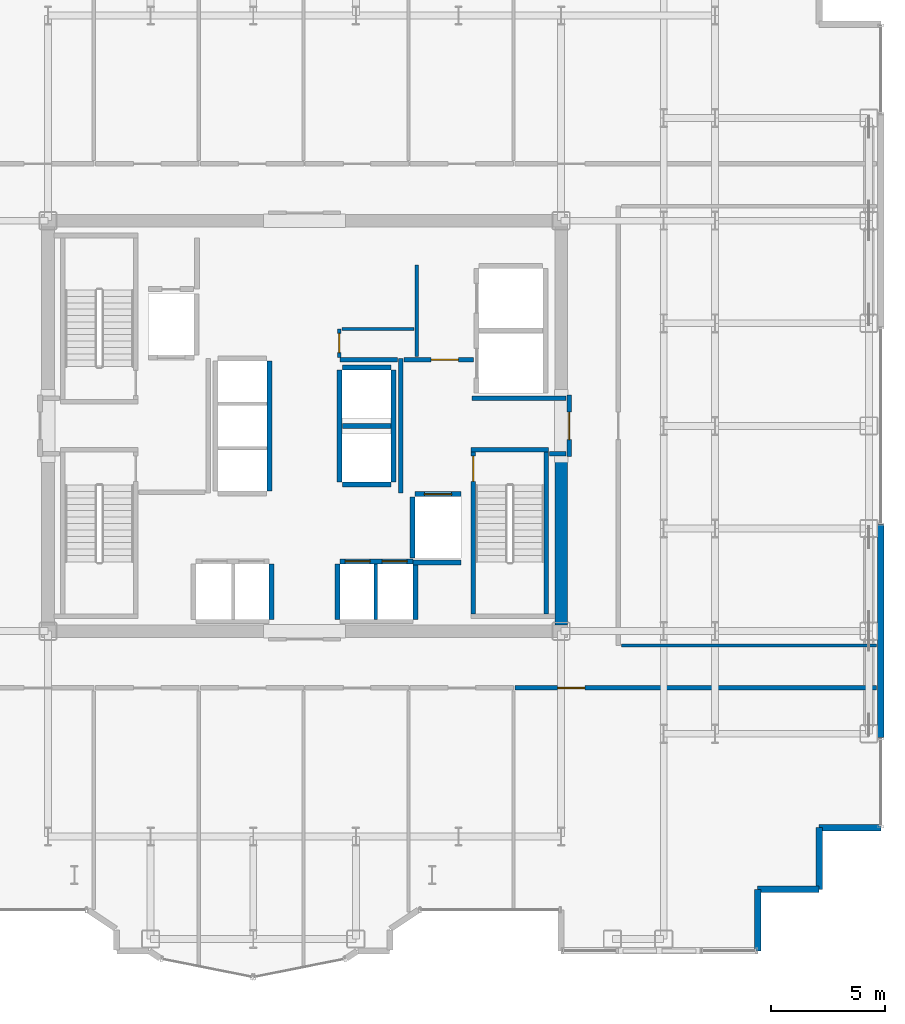
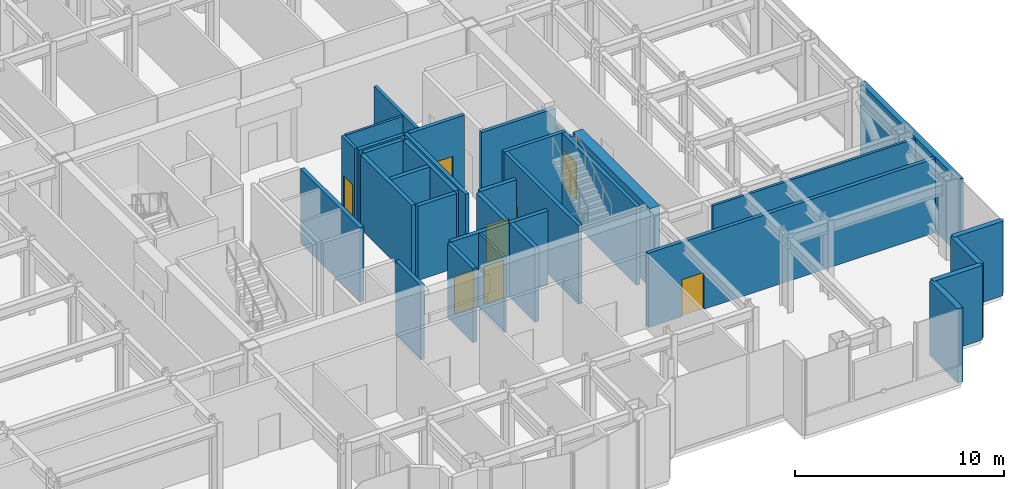
# One storey, part 21 of 26: 34 walls, 8 doors, 8 openings.
"""IFC4 building model written with IfcOpenShell, lengths in metres."""

from ifc_helpers import new_model, si_unit, direction, frame, frame_2d, origin, place, context, subcontext, project, spatial, rectangle, extrude, source, transform, mapped, material, layer, layer_set, type_object, element, fill, save


model = new_model("IFC4")

# Units and contexts
model_context = context("Model", 3, precision=1e-05, world=origin(), true_north=direction((0.0, 1.0)))
body_context = subcontext(model_context, "Body", "Model", "MODEL_VIEW")
ifc_project = project(units=[si_unit("LENGTHUNIT", "METRE"), si_unit("AREAUNIT", "SQUARE_METRE"), si_unit("VOLUMEUNIT", "CUBIC_METRE"), si_unit("PLANEANGLEUNIT", "RADIAN"), si_unit("MASSUNIT", "GRAM", prefix="KILO")], contexts=[model_context])

# Site, building, storey
site_placement = place(None, origin())
site = spatial("IfcSite", under=ifc_project, at=site_placement, CompositionType="ELEMENT")
building_placement = place(site_placement, origin())
building = spatial("IfcBuilding", under=site, at=building_placement, Name="Nefas-Gora Pilgrimage Tower", CompositionType="ELEMENT")
storey_placement = place(building_placement, frame((0.0, 0.0, 202.0)))
storey = spatial("IfcBuildingStorey", under=building, at=storey_placement, Name="L50", CompositionType="ELEMENT", Elevation=202.0)

# Walls
ifc_material_1 = material(Name="Concrete C60/75", Category="concrete")
ifc_layer_1 = layer(ifc_material_1, 0.550048828125)
ifc_layer_set_1 = layer_set([ifc_layer_1], Name="Concrete C60/75")
wall_type_1 = type_object("IfcWallType", Name="SW-CORE-550", PredefinedType="SHEAR", material=ifc_layer_set_1)
shared_shape_1 = source(origin(), body_context, "Body", "SweptSolid", [
    extrude(rectangle(XDim=7.375, YDim=0.550048828125, at=frame_2d((3.6875, 0.0))), origin(), (0.0, 0.0, 1.0), 4.60009765625),
])
wall_1_placement = place(storey_placement, frame((11.25, -8.72509765625, 0.0), z_axis=(0.0, 0.0, 1.0), x_axis=(0.0, 1.0, 0.0)))
element("IfcWall", 1, at=wall_1_placement, inside=storey, type_object=wall_type_1, Name="L50 Core Shear Wall E-South", PredefinedType="SHEAR", context=body_context, shape_type="MappedRepresentation", body=[
    mapped(shared_shape_1, transform((0.0, 0.0, 0.0), x_axis=(1.0, 0.0, 0.0), y_axis=(0.0, 1.0, 0.0), z_axis=(0.0, 0.0, 1.0), scale=1.0)),
])
ifc_material_2 = material(Name="Precast concrete C45/55", Category="concrete")
ifc_layer_2 = layer(ifc_material_2, 0.239990234375)
ifc_layer_set_2 = layer_set([ifc_layer_2], Name="Precast concrete C45/55")
wall_type_2 = type_object("IfcWallType", Name="EW-SERR-240", PredefinedType="SHEAR", material=ifc_layer_set_2)
shared_shape_2 = source(origin(), body_context, "Body", "SweptSolid", [
    extrude(rectangle(XDim=9.3798828125, YDim=0.300048828125, at=frame_2d((4.68994140625, 0.0))), origin(), (0.0, 0.0, 1.0), 4.35009765625),
])
wall_2_placement = place(storey_placement, frame((25.27001953125, -13.68994140625, 0.0), z_axis=(0.0, 0.0, 1.0), x_axis=(0.0, 1.0, 0.0)))
element("IfcWall", 2, at=wall_2_placement, inside=storey, type_object=wall_type_2, Name="L50 Belt-Truss Precast Shear Cladding 3", PredefinedType="SHEAR", context=body_context, shape_type="MappedRepresentation", body=[
    mapped(shared_shape_2, transform((0.0, 0.0, 0.0), x_axis=(1.0, 0.0, 0.0), y_axis=(0.0, 1.0, 0.0), z_axis=(0.0, 0.0, 1.0), scale=1.0)),
])
ifc_layer_3 = layer(ifc_material_2, 0.280029296875)
ifc_layer_set_3 = layer_set([ifc_layer_3], Name="Precast concrete C45/55")
wall_type_3 = type_object("IfcWallType", Name="EW-PLANT-280", PredefinedType="SOLIDWALL", material=ifc_layer_set_3)
shared_shape_3 = source(origin(), body_context, "Body", "SweptSolid", [
    extrude(rectangle(XDim=2.699951171875, YDim=0.280029296875, at=frame_2d((1.35009765625, 0.0))), origin(), (0.0, 0.0, 1.0), 4.35009765625),
])
for number, where, z_axis, x_axis, name in (
    (3, (19.8701171875, -23.02001953125, 0.0), (0.0, 0.0, 1.0), (0.0, 1.0, 0.0), "L50 Serrated Corner Shear Pier Wall 7"),
    (4, (19.8701171875, -20.320068359375, 0.0), (0.0, 0.0, 1.0), (1.0, 0.0, 0.0), "L50 Serrated Corner Shear Pier Wall 8"),
    (5, (22.570068359375, -20.320068359375, 0.0), (0.0, 0.0, 1.0), (0.0, 1.0, 0.0), "L50 Serrated Corner Shear Pier Wall 9"),
    (6, (22.570068359375, -17.6201171875, 0.0), (0.0, 0.0, 1.0), (1.0, 0.0, 0.0), "L50 Serrated Corner Shear Pier Wall 10"),
):
    element("IfcWall", number, at=place(storey_placement, frame(where, z_axis=z_axis, x_axis=x_axis)), inside=storey, type_object=wall_type_3, Name=name, PredefinedType="SOLIDWALL", context=body_context, shape_type="MappedRepresentation", body=[
        mapped(shared_shape_3, transform((0.0, 0.0, 0.0), x_axis=(1.0, 0.0, 0.0), y_axis=(0.0, 1.0, 0.0), z_axis=(0.0, 0.0, 1.0), scale=1.0)),
    ])
ifc_material_3 = material(Name="Concrete C45/55", Category="concrete")
ifc_layer_4 = layer(ifc_material_3, 0.199951171875)
ifc_layer_set_4 = layer_set([ifc_layer_4], Name="Concrete C45/55")
wall_type_4 = type_object("IfcWallType", Name="IW-STAIR-200", PredefinedType="SOLIDWALL", material=ifc_layer_set_4)
shared_shape_4 = source(origin(), body_context, "Body", "SweptSolid", [
    extrude(rectangle(XDim=3.39990234375, YDim=0.199951171875, at=frame_2d((1.699951171875, 0.0))), origin(), (0.0, 0.0, 1.0), 4.60009765625),
])
wall_3_placement = place(storey_placement, frame((7.300048828125, -1.050048828125, 0.0), z_axis=(0.0, 0.0, 1.0), x_axis=(1.0, 0.0, 0.0)))
element("IfcWall", 7, at=wall_3_placement, inside=storey, type_object=wall_type_4, Name="L50 Stairwell Shear Wall ST-02-near", PredefinedType="SOLIDWALL", context=body_context, shape_type="MappedRepresentation", body=[
    mapped(shared_shape_4, transform((0.0, 0.0, 0.0), x_axis=(1.0, 0.0, 0.0), y_axis=(0.0, 1.0, 0.0), z_axis=(0.0, 0.0, 1.0), scale=1.0)),
])

# Wall, opening, door
shared_shape_5 = source(origin(), body_context, "Body", "SweptSolid", [
    extrude(rectangle(XDim=7.10009765625, YDim=0.199951171875, at=frame_2d((3.550048828125, 0.0))), origin(), (0.0, 0.0, 1.0), 4.60009765625),
])
wall_4_placement = place(storey_placement, frame((7.39990234375, -1.14990234375, 0.0), z_axis=(0.0, 0.0, 1.0), x_axis=(0.0, -1.0, 0.0)))
wall_4 = element("IfcWall", 8, at=wall_4_placement, inside=storey, type_object=wall_type_4, Name="L50 Stairwell Shear Wall ST-02-left", PredefinedType="SOLIDWALL", context=body_context, shape_type="MappedRepresentation", body=[
    mapped(shared_shape_5, transform((0.0, 0.0, 0.0), x_axis=(1.0, 0.0, 0.0), y_axis=(0.0, 1.0, 0.0), z_axis=(0.0, 0.0, 1.0), scale=1.0)),
])
opening_1_placement = place(wall_4_placement, frame((0.179931640625, 0.0, 0.0)))
opening_1 = element("IfcOpeningElement", 9, at=opening_1_placement, cuts=wall_4, Name="Opening ID-ST1", PredefinedType="OPENING", context=body_context, shape_type="SweptSolid", body=[
    extrude(rectangle(XDim=1.10009765625, YDim=2.14990234375, at=frame_2d((0.550048828125, 1.074951171875))), frame((0.0, 0.10986328125, 0.0), z_axis=(0.0, -1.0, 0.0), x_axis=(1.0, 0.0, 0.0)), (0.0, 0.0, 1.0), 0.219970703125),
])
ifc_material_4 = material(Name="Painted galvanised steel fire stair door", Category="steel")
door_type_1 = type_object("IfcDoorType", Name="DR-INT-STAIR-1100", OperationType="NOTDEFINED", PredefinedType="DOOR", material=ifc_material_4)
shared_shape_6 = source(origin(), body_context, "Body", "SweptSolid", [
    extrude(rectangle(XDim=1.10009765625, YDim=2.14990234375, at=frame_2d((0.550048828125, 1.074951171875))), frame((0.0, 0.02490234375, 0.0), z_axis=(0.0, -1.0, 0.0), x_axis=(1.0, 0.0, 0.0)), (0.0, 0.0, 1.0), 0.050048828125),
])
door_1_placement = place(opening_1_placement, origin())
door_1 = element("IfcDoor", 10, at=door_1_placement, inside=storey, type_object=door_type_1, Name="L50 Protected Exit Stair Door ST-02", OperationType="SINGLE_SWING_LEFT", OverallHeight=2.14990234375, OverallWidth=1.10009765625, PredefinedType="DOOR", context=body_context, shape_type="MappedRepresentation", body=[
    mapped(shared_shape_6, transform((0.0, 0.0, 0.0), x_axis=(1.0, 0.0, 0.0), y_axis=(0.0, 1.0, 0.0), z_axis=(0.0, 0.0, 1.0), scale=1.0)),
])
fill(opening_1, door_1)

# Wall
wall_5_placement = place(storey_placement, frame((10.60009765625, -1.14990234375, 0.0), z_axis=(0.0, 0.0, 1.0), x_axis=(0.0, -1.0, 0.0)))
element("IfcWall", 11, at=wall_5_placement, inside=storey, type_object=wall_type_4, Name="L50 Stairwell Shear Wall ST-02-right", PredefinedType="SOLIDWALL", context=body_context, shape_type="MappedRepresentation", body=[
    mapped(shared_shape_5, transform((0.0, 0.0, 0.0), x_axis=(1.0, 0.0, 0.0), y_axis=(0.0, 1.0, 0.0), z_axis=(0.0, 0.0, 1.0), scale=1.0)),
])

# Wall, opening, door
ifc_material_5 = material(Name="Concrete C40/50", Category="concrete")
ifc_layer_5 = layer(ifc_material_5, 0.219970703125)
ifc_layer_set_5 = layer_set([ifc_layer_5], Name="Concrete C40/50")
wall_type_5 = type_object("IfcWallType", Name="IW-SHAFT-220", PredefinedType="SOLIDWALL", material=ifc_layer_set_5)
shared_shape_7 = source(origin(), body_context, "Body", "SweptSolid", [
    extrude(rectangle(XDim=2.0, YDim=0.219970703125, at=frame_2d((1.0, 0.0))), origin(), (0.0, 0.0, 1.0), 4.3349609375),
])
wall_6_placement = place(storey_placement, frame((6.85009765625, -2.989990234375, 0.0), z_axis=(0.0, 0.0, 1.0), x_axis=(-1.0, 0.0, 0.0)))
wall_6 = element("IfcWall", 12, at=wall_6_placement, inside=storey, type_object=wall_type_5, Name="L50 Hoistway Wall FFL-02-N", PredefinedType="SOLIDWALL", context=body_context, shape_type="MappedRepresentation", body=[
    mapped(shared_shape_7, transform((0.0, 0.0, 0.0), x_axis=(1.0, 0.0, 0.0), y_axis=(0.0, 1.0, 0.0), z_axis=(0.0, 0.0, 1.0), scale=1.0)),
])
opening_2_placement = place(wall_6_placement, frame((0.39990234375, 0.0, 0.0)))
opening_2 = element("IfcOpeningElement", 13, at=opening_2_placement, cuts=wall_6, Name="Opening LD-FF", PredefinedType="OPENING", context=body_context, shape_type="SweptSolid", body=[
    extrude(rectangle(XDim=1.199951171875, YDim=2.199951171875, at=frame_2d((0.60009765625, 1.10009765625))), frame((0.0, 0.119873046875, 0.0), z_axis=(0.0, -1.0, 0.0), x_axis=(1.0, 0.0, 0.0)), (0.0, 0.0, 1.0), 0.239990234375),
])
ifc_material_6 = material(Name="Fire-service sliding lift landing door")
door_type_2 = type_object("IfcDoorType", Name="DR-LIFT-FSAE-1200", OperationType="SLIDING_TO_LEFT", PredefinedType="DOOR", material=ifc_material_6)
shared_shape_8 = source(origin(), body_context, "Body", "SweptSolid", [
    extrude(rectangle(XDim=1.199951171875, YDim=2.199951171875, at=frame_2d((0.60009765625, 1.10009765625))), frame((0.0, 0.02490234375, 0.0), z_axis=(0.0, -1.0, 0.0), x_axis=(1.0, 0.0, 0.0)), (0.0, 0.0, 1.0), 0.050048828125),
])
door_2_placement = place(opening_2_placement, origin())
door_2 = element("IfcDoor", 14, at=door_2_placement, inside=storey, type_object=door_type_2, Name="L50 Sliding Lift Landing Door FFL-02", OperationType="SLIDING_TO_LEFT", OverallHeight=2.199951171875, OverallWidth=1.199951171875, PredefinedType="DOOR", context=body_context, shape_type="MappedRepresentation", body=[
    mapped(shared_shape_8, transform((0.0, 0.0, 0.0), x_axis=(1.0, 0.0, 0.0), y_axis=(0.0, 1.0, 0.0), z_axis=(0.0, 0.0, 1.0), scale=1.0)),
])
fill(opening_2, door_2)

# Wall
shared_shape_9 = source(origin(), body_context, "Body", "SweptSolid", [
    extrude(rectangle(XDim=2.679931640625, YDim=0.219970703125, at=frame_2d((1.33984375, 0.0))), origin(), (0.0, 0.0, 1.0), 4.3349609375),
])
wall_7_placement = place(storey_placement, frame((4.739990234375, -3.110107421875, 0.0), z_axis=(0.0, 0.0, 1.0), x_axis=(0.0, -1.0, 0.0)))
element("IfcWall", 15, at=wall_7_placement, inside=storey, type_object=wall_type_5, Name="L50 Hoistway Wall FFL-02-W", PredefinedType="SOLIDWALL", context=body_context, shape_type="MappedRepresentation", body=[
    mapped(shared_shape_9, transform((0.0, 0.0, 0.0), x_axis=(1.0, 0.0, 0.0), y_axis=(0.0, 1.0, 0.0), z_axis=(0.0, 0.0, 1.0), scale=1.0)),
])

# Wall, openings, doors
shared_shape_10 = source(origin(), body_context, "Body", "SweptSolid", [
    extrude(rectangle(XDim=3.199951171875, YDim=0.219970703125, at=frame_2d((1.60009765625, 0.0))), origin(), (0.0, 0.0, 1.0), 4.3349609375),
])
wall_8_placement = place(storey_placement, frame((4.75, -5.93994140625, 0.0), z_axis=(0.0, 0.0, 1.0), x_axis=(-1.0, 0.0, 0.0)))
wall_8 = element("IfcWall", 16, at=wall_8_placement, inside=storey, type_object=wall_type_5, Name="L50 Hoistway Wall PL2-E-N", PredefinedType="SOLIDWALL", context=body_context, shape_type="MappedRepresentation", body=[
    mapped(shared_shape_10, transform((0.0, 0.0, 0.0), x_axis=(1.0, 0.0, 0.0), y_axis=(0.0, 1.0, 0.0), z_axis=(0.0, 0.0, 1.0), scale=1.0)),
])
opening_3_placement = place(wall_8_placement, frame((1.875, 0.0, 0.0)))
opening_3 = element("IfcOpeningElement", 17, at=opening_3_placement, cuts=wall_8, Name="Opening LD-01", PredefinedType="OPENING", context=body_context, shape_type="SweptSolid", body=[
    extrude(rectangle(XDim=1.10009765625, YDim=2.199951171875, at=frame_2d((0.550048828125, 1.10009765625))), frame((0.0, 0.119873046875, 0.0), z_axis=(0.0, -1.0, 0.0), x_axis=(1.0, 0.0, 0.0)), (0.0, 0.0, 1.0), 0.239990234375),
])
opening_4_placement = place(wall_8_placement, frame((0.25, 0.0, 0.0)))
opening_4 = element("IfcOpeningElement", 18, at=opening_4_placement, cuts=wall_8, Name="Opening LD-01", PredefinedType="OPENING", context=body_context, shape_type="SweptSolid", body=[
    extrude(rectangle(XDim=1.10009765625, YDim=2.199951171875, at=frame_2d((0.550048828125, 1.10009765625))), frame((0.0, 0.119873046875, 0.0), z_axis=(0.0, -1.0, 0.0), x_axis=(1.0, 0.0, 0.0)), (0.0, 0.0, 1.0), 0.239990234375),
])
ifc_material_7 = material(Name="Brushed stainless sliding lift landing door")
door_type_3 = type_object("IfcDoorType", Name="DR-LIFT-PASS-1100", OperationType="DOUBLE_DOOR_SLIDING", PredefinedType="DOOR", material=ifc_material_7)
shared_shape_11 = source(origin(), body_context, "Body", "SweptSolid", [
    extrude(rectangle(XDim=1.10009765625, YDim=2.199951171875, at=frame_2d((0.550048828125, 1.10009765625))), frame((0.0, 0.02490234375, 0.0), z_axis=(0.0, -1.0, 0.0), x_axis=(1.0, 0.0, 0.0)), (0.0, 0.0, 1.0), 0.050048828125),
])
door_3_placement = place(opening_3_placement, origin())
door_3 = element("IfcDoor", 19, at=door_3_placement, inside=storey, type_object=door_type_3, Name="L50 Sliding Lift Landing Door PL2-03", OperationType="DOUBLE_DOOR_SLIDING", OverallHeight=2.199951171875, OverallWidth=1.10009765625, PredefinedType="DOOR", context=body_context, shape_type="MappedRepresentation", body=[
    mapped(shared_shape_11, transform((0.0, 0.0, 0.0), x_axis=(1.0, 0.0, 0.0), y_axis=(0.0, 1.0, 0.0), z_axis=(0.0, 0.0, 1.0), scale=1.0)),
])
fill(opening_3, door_3)
door_4_placement = place(opening_4_placement, origin())
door_4 = element("IfcDoor", 20, at=door_4_placement, inside=storey, type_object=door_type_3, Name="L50 Sliding Lift Landing Door PL2-04", OperationType="DOUBLE_DOOR_SLIDING", OverallHeight=2.199951171875, OverallWidth=1.10009765625, PredefinedType="DOOR", context=body_context, shape_type="MappedRepresentation", body=[
    mapped(shared_shape_11, transform((0.0, 0.0, 0.0), x_axis=(1.0, 0.0, 0.0), y_axis=(0.0, 1.0, 0.0), z_axis=(0.0, 0.0, 1.0), scale=1.0)),
])
fill(opening_4, door_4)

# Walls
shared_shape_12 = source(origin(), body_context, "Body", "SweptSolid", [
    extrude(rectangle(XDim=2.429931640625, YDim=0.219970703125, at=frame_2d((1.21484375, 0.0))), origin(), (0.0, 0.0, 1.0), 4.3349609375),
])
for number, where, z_axis, x_axis, name in (
    (21, (-1.43994140625, -8.489990234375, 0.0), (0.0, 0.0, 1.0), (0.0, 1.0, 0.0), "L50 Hoistway Wall PL2-W-E"),
    (22, (1.43994140625, -6.06005859375, 0.0), (0.0, 0.0, 1.0), (0.0, -1.0, 0.0), "L50 Hoistway Wall PL2-E-W"),
    (23, (4.860107421875, -8.489990234375, 0.0), (0.0, 0.0, 1.0), (0.0, 1.0, 0.0), "L50 Hoistway Wall PL2-E-E"),
):
    element("IfcWall", number, at=place(storey_placement, frame(where, z_axis=z_axis, x_axis=x_axis)), inside=storey, type_object=wall_type_5, Name=name, PredefinedType="SOLIDWALL", context=body_context, shape_type="MappedRepresentation", body=[
        mapped(shared_shape_12, transform((0.0, 0.0, 0.0), x_axis=(1.0, 0.0, 0.0), y_axis=(0.0, 1.0, 0.0), z_axis=(0.0, 0.0, 1.0), scale=1.0)),
    ])
ifc_material_8 = material(Name="Gypsum twin-stud partition")
ifc_layer_6 = layer(ifc_material_8, 0.139892578125)
ifc_layer_set_6 = layer_set([ifc_layer_6], Name="Gypsum twin-stud partition")
wall_type_6 = type_object("IfcWallType", Name="IW-UNIT-140", PredefinedType="PARTITIONING", material=ifc_layer_set_6)
shared_shape_13 = source(origin(), body_context, "Body", "SweptSolid", [
    extrude(rectangle(XDim=2.429931640625, YDim=0.139892578125, at=frame_2d((1.21484375, 0.0))), origin(), (0.0, 0.0, 1.0), 4.3349609375),
])
wall_9_placement = place(storey_placement, frame((3.125, -8.489990234375, 0.0), z_axis=(0.0, 0.0, 1.0), x_axis=(0.0, 1.0, 0.0)))
element("IfcWall", 24, at=wall_9_placement, inside=storey, type_object=wall_type_6, Name="L50 Hoistway Wall PL2-E-DIV", PredefinedType="PARTITIONING", context=body_context, shape_type="MappedRepresentation", body=[
    mapped(shared_shape_13, transform((0.0, 0.0, 0.0), x_axis=(1.0, 0.0, 0.0), y_axis=(0.0, 1.0, 0.0), z_axis=(0.0, 0.0, 1.0), scale=1.0)),
])
shared_shape_14 = source(origin(), body_context, "Body", "SweptSolid", [
    extrude(rectangle(XDim=5.7001953125, YDim=0.219970703125, at=frame_2d((2.85009765625, 0.0))), origin(), (0.0, 0.0, 1.0), 4.3349609375),
])
wall_10_placement = place(storey_placement, frame((-1.5400390625, -2.85009765625, 0.0), z_axis=(0.0, 0.0, 1.0), x_axis=(0.0, 1.0, 0.0)))
element("IfcWall", 25, at=wall_10_placement, inside=storey, type_object=wall_type_5, Name="L50 Hoistway Wall PL3-01-03-E", PredefinedType="SOLIDWALL", context=body_context, shape_type="MappedRepresentation", body=[
    mapped(shared_shape_14, transform((0.0, 0.0, 0.0), x_axis=(1.0, 0.0, 0.0), y_axis=(0.0, 1.0, 0.0), z_axis=(0.0, 0.0, 1.0), scale=1.0)),
])
shared_shape_15 = source(origin(), body_context, "Body", "SweptSolid", [
    extrude(rectangle(XDim=2.130126953125, YDim=0.219970703125, at=frame_2d((1.06494140625, 0.0))), origin(), (0.0, 0.0, 1.0), 4.3349609375),
])
for number, where, z_axis, x_axis, name in (
    (26, (1.659912109375, -2.56005859375, 0.0), (0.0, 0.0, 1.0), (1.0, 0.0, 0.0), "L50 Hoistway Wall OBS-01-S"),
    (27, (1.659912109375, 0.0, 0.0), (0.0, 0.0, 1.0), (1.0, 0.0, 0.0), "L50 Hoistway Wall OBS-01-02-DIV"),
    (28, (3.7900390625, 2.56005859375, 0.0), (0.0, 0.0, 1.0), (-1.0, 0.0, 0.0), "L50 Hoistway Wall OBS-02-N"),
):
    element("IfcWall", number, at=place(storey_placement, frame(where, z_axis=z_axis, x_axis=x_axis)), inside=storey, type_object=wall_type_5, Name=name, PredefinedType="SOLIDWALL", context=body_context, shape_type="MappedRepresentation", body=[
        mapped(shared_shape_15, transform((0.0, 0.0, 0.0), x_axis=(1.0, 0.0, 0.0), y_axis=(0.0, 1.0, 0.0), z_axis=(0.0, 0.0, 1.0), scale=1.0)),
    ])
shared_shape_16 = source(origin(), body_context, "Body", "SweptSolid", [
    extrude(rectangle(XDim=4.89990234375, YDim=0.219970703125, at=frame_2d((2.449951171875, 0.0))), origin(), (0.0, 0.0, 1.0), 4.3349609375),
])
for number, where, z_axis, x_axis, name in (
    (29, (1.5400390625, 2.449951171875, 0.0), (0.0, 0.0, 1.0), (0.0, -1.0, 0.0), "L50 Hoistway Wall OBS-01-02-W"),
    (30, (3.909912109375, -2.449951171875, 0.0), (0.0, 0.0, 1.0), (0.0, 1.0, 0.0), "L50 Hoistway Wall OBS-01-02-E"),
):
    element("IfcWall", number, at=place(storey_placement, frame(where, z_axis=z_axis, x_axis=x_axis)), inside=storey, type_object=wall_type_5, Name=name, PredefinedType="SOLIDWALL", context=body_context, shape_type="MappedRepresentation", body=[
        mapped(shared_shape_16, transform((0.0, 0.0, 0.0), x_axis=(1.0, 0.0, 0.0), y_axis=(0.0, 1.0, 0.0), z_axis=(0.0, 0.0, 1.0), scale=1.0)),
    ])
shared_shape_17 = source(origin(), body_context, "Body", "SweptSolid", [
    extrude(rectangle(XDim=2.09521484375, YDim=0.219970703125, at=frame_2d((1.047607421875, 0.0))), origin(), (0.0, 0.0, 1.0), 4.3349609375),
])
wall_11_placement = place(storey_placement, frame((4.7548828125, -6.0, 0.0), z_axis=(0.0, 0.0, 1.0), x_axis=(1.0, 0.0, 0.0)))
element("IfcWall", 31, at=wall_11_placement, inside=storey, type_object=wall_type_5, Name="L50 Riser Shaft Wall 3", PredefinedType="SOLIDWALL", context=body_context, shape_type="MappedRepresentation", body=[
    mapped(shared_shape_17, transform((0.0, 0.0, 0.0), x_axis=(1.0, 0.0, 0.0), y_axis=(0.0, 1.0, 0.0), z_axis=(0.0, 0.0, 1.0), scale=1.0)),
])

# Wall, opening, door
ifc_material_9 = material(Name="Gypsum fire-rated shaftwall")
ifc_layer_7 = layer(ifc_material_9, 0.199951171875)
ifc_layer_set_7 = layer_set([ifc_layer_7], Name="Gypsum fire-rated shaftwall")
wall_type_7 = type_object("IfcWallType", Name="IW-FFLOB-200", PredefinedType="PARTITIONING", material=ifc_layer_set_7)
shared_shape_18 = source(origin(), body_context, "Body", "SweptSolid", [
    extrude(rectangle(XDim=2.7001953125, YDim=0.199951171875, at=frame_2d((1.35009765625, 0.0))), origin(), (0.0, 0.0, 1.0), 3.22509765625),
])
wall_12_placement = place(storey_placement, frame((11.60009765625, -1.35009765625, 0.0), z_axis=(0.0, 0.0, 1.0), x_axis=(0.0, 1.0, 0.0)))
wall_12 = element("IfcWall", 32, at=wall_12_placement, inside=storey, type_object=wall_type_7, Name="L50 FF Lobby East Portal Wall 9", PredefinedType="PARTITIONING", context=body_context, shape_type="MappedRepresentation", body=[
    mapped(shared_shape_18, transform((0.0, 0.0, 0.0), x_axis=(1.0, 0.0, 0.0), y_axis=(0.0, 1.0, 0.0), z_axis=(0.0, 0.0, 1.0), scale=1.0)),
])
opening_5_placement = place(wall_12_placement, frame((0.75, 0.0, 0.0)))
opening_5 = element("IfcOpeningElement", 33, at=opening_5_placement, cuts=wall_12, Name="Opening ID-FF1", PredefinedType="OPENING", context=body_context, shape_type="SweptSolid", body=[
    extrude(rectangle(XDim=1.199951171875, YDim=2.14990234375, at=frame_2d((0.60009765625, 1.074951171875))), frame((0.0, 0.10986328125, 0.0), z_axis=(0.0, -1.0, 0.0), x_axis=(1.0, 0.0, 0.0)), (0.0, 0.0, 1.0), 0.219970703125),
])
ifc_material_10 = material(Name="Smoke-sealed steel firefighting lobby door", Category="steel")
door_type_4 = type_object("IfcDoorType", Name="DR-INT-FFLOB-1200", OperationType="NOTDEFINED", PredefinedType="DOOR", material=ifc_material_10)
shared_shape_19 = source(origin(), body_context, "Body", "SweptSolid", [
    extrude(rectangle(XDim=1.199951171875, YDim=2.14990234375, at=frame_2d((0.60009765625, 1.074951171875))), frame((0.0, 0.02490234375, 0.0), z_axis=(0.0, -1.0, 0.0), x_axis=(1.0, 0.0, 0.0)), (0.0, 0.0, 1.0), 0.050048828125),
])
door_5_placement = place(opening_5_placement, origin())
door_5 = element("IfcDoor", 34, at=door_5_placement, inside=storey, type_object=door_type_4, Name="L50 FF Lobby East Portal Door 3", OperationType="SINGLE_SWING_RIGHT", OverallHeight=2.14990234375, OverallWidth=1.199951171875, PredefinedType="DOOR", context=body_context, shape_type="MappedRepresentation", body=[
    mapped(shared_shape_19, transform((0.0, 0.0, 0.0), x_axis=(1.0, 0.0, 0.0), y_axis=(0.0, 1.0, 0.0), z_axis=(0.0, 0.0, 1.0), scale=1.0)),
])
fill(opening_5, door_5)

# Walls
shared_shape_20 = source(origin(), body_context, "Body", "SweptSolid", [
    extrude(rectangle(XDim=5.89990234375, YDim=0.199951171875, at=frame_2d((2.949951171875, 0.0))), origin(), (0.0, 0.0, 1.0), 4.3349609375),
])
wall_13_placement = place(storey_placement, frame((4.219970703125, -2.949951171875, 0.0), z_axis=(0.0, 0.0, 1.0), x_axis=(0.0, 1.0, 0.0)))
element("IfcWall", 35, at=wall_13_placement, inside=storey, type_object=wall_type_7, Name="L50 FF Lobby East Inner Wall Wall 10", PredefinedType="PARTITIONING", context=body_context, shape_type="MappedRepresentation", body=[
    mapped(shared_shape_20, transform((0.0, 0.0, 0.0), x_axis=(1.0, 0.0, 0.0), y_axis=(0.0, 1.0, 0.0), z_axis=(0.0, 0.0, 1.0), scale=1.0)),
])
shared_shape_21 = source(origin(), body_context, "Body", "SweptSolid", [
    extrude(rectangle(XDim=0.719970703125, YDim=0.199951171875, at=frame_2d((0.35986328125, 0.0))), origin(), (0.0, 0.0, 1.0), 4.3349609375),
])
wall_14_placement = place(storey_placement, frame((10.739990234375, -1.219970703125, 0.0), z_axis=(0.0, 0.0, 1.0), x_axis=(1.0, 0.0, 0.0)))
element("IfcWall", 36, at=wall_14_placement, inside=storey, type_object=wall_type_7, Name="L50 FF Lobby East Throat S Wall 14", PredefinedType="PARTITIONING", context=body_context, shape_type="MappedRepresentation", body=[
    mapped(shared_shape_21, transform((0.0, 0.0, 0.0), x_axis=(1.0, 0.0, 0.0), y_axis=(0.0, 1.0, 0.0), z_axis=(0.0, 0.0, 1.0), scale=1.0)),
])
shared_shape_22 = source(origin(), body_context, "Body", "SweptSolid", [
    extrude(rectangle(XDim=2.52001953125, YDim=0.199951171875, at=frame_2d((1.260009765625, 0.0))), origin(), (0.0, 0.0, 1.0), 4.3349609375),
])
wall_15_placement = place(storey_placement, frame((1.56005859375, 2.89990234375, 0.0), z_axis=(0.0, 0.0, 1.0), x_axis=(1.0, 0.0, 0.0)))
element("IfcWall", 37, at=wall_15_placement, inside=storey, type_object=wall_type_7, Name="L50 FF Lobby East North Wall Wall 11", PredefinedType="PARTITIONING", context=body_context, shape_type="MappedRepresentation", body=[
    mapped(shared_shape_22, transform((0.0, 0.0, 0.0), x_axis=(1.0, 0.0, 0.0), y_axis=(0.0, 1.0, 0.0), z_axis=(0.0, 0.0, 1.0), scale=1.0)),
])

# Wall, opening, door
shared_shape_23 = source(origin(), body_context, "Body", "SweptSolid", [
    extrude(rectangle(XDim=3.039794921875, YDim=0.199951171875, at=frame_2d((1.52001953125, 0.0))), origin(), (0.0, 0.0, 1.0), 4.3349609375),
])
wall_16_placement = place(storey_placement, frame((4.360107421875, 2.89990234375, 0.0), z_axis=(0.0, 0.0, 1.0), x_axis=(1.0, 0.0, 0.0)))
wall_16 = element("IfcWall", 38, at=wall_16_placement, inside=storey, type_object=wall_type_7, Name="L50 FF Lobby East North Wall Wall 12", PredefinedType="PARTITIONING", context=body_context, shape_type="MappedRepresentation", body=[
    mapped(shared_shape_23, transform((0.0, 0.0, 0.0), x_axis=(1.0, 0.0, 0.0), y_axis=(0.0, 1.0, 0.0), z_axis=(0.0, 0.0, 1.0), scale=1.0)),
])
opening_6_placement = place(wall_16_placement, frame((1.18994140625, 0.0, 0.0)))
opening_6 = element("IfcOpeningElement", 39, at=opening_6_placement, cuts=wall_16, Name="Opening ID-PL1", PredefinedType="OPENING", context=body_context, shape_type="SweptSolid", body=[
    extrude(rectangle(XDim=1.199951171875, YDim=2.14990234375, at=frame_2d((0.60009765625, 1.074951171875))), frame((0.0, 0.10986328125, 0.0), z_axis=(0.0, -1.0, 0.0), x_axis=(1.0, 0.0, 0.0)), (0.0, 0.0, 1.0), 0.219970703125),
])
ifc_material_11 = material(Name="Heavy-duty steel plant room fire door", Category="steel")
door_type_5 = type_object("IfcDoorType", Name="DR-INT-PLANT-1200", OperationType="NOTDEFINED", PredefinedType="DOOR", material=ifc_material_11)
door_6_placement = place(opening_6_placement, origin())
door_6 = element("IfcDoor", 40, at=door_6_placement, inside=storey, type_object=door_type_5, Name="L50 Service Lift Lobby Door Door 4", OperationType="SINGLE_SWING_LEFT", OverallHeight=2.14990234375, OverallWidth=1.199951171875, PredefinedType="DOOR", context=body_context, shape_type="MappedRepresentation", body=[
    mapped(shared_shape_19, transform((0.0, 0.0, 0.0), x_axis=(1.0, 0.0, 0.0), y_axis=(0.0, 1.0, 0.0), z_axis=(0.0, 0.0, 1.0), scale=1.0)),
])
fill(opening_6, door_6)

# Wall
shared_shape_24 = source(origin(), body_context, "Body", "SweptSolid", [
    extrude(rectangle(XDim=4.10986328125, YDim=0.199951171875, at=frame_2d((2.054931640625, 0.0))), origin(), (0.0, 0.0, 1.0), 4.3349609375),
])
wall_17_placement = place(storey_placement, frame((7.35009765625, 1.219970703125, 0.0), z_axis=(0.0, 0.0, 1.0), x_axis=(1.0, 0.0, 0.0)))
element("IfcWall", 41, at=wall_17_placement, inside=storey, type_object=wall_type_7, Name="L50 FF Lobby East Throat N Wall 13", PredefinedType="PARTITIONING", context=body_context, shape_type="MappedRepresentation", body=[
    mapped(shared_shape_24, transform((0.0, 0.0, 0.0), x_axis=(1.0, 0.0, 0.0), y_axis=(0.0, 1.0, 0.0), z_axis=(0.0, 0.0, 1.0), scale=1.0)),
])

# Wall, opening, door
ifc_material_12 = material(Name="Gypsum acoustic stud partition")
ifc_layer_8 = layer(ifc_material_12, 0.159912109375)
ifc_layer_set_8 = layer_set([ifc_layer_8], Name="Gypsum acoustic stud partition")
wall_type_8 = type_object("IfcWallType", Name="IW-CORR-160", PredefinedType="PARTITIONING", material=ifc_layer_set_8)
shared_shape_25 = source(origin(), body_context, "Body", "SweptSolid", [
    extrude(rectangle(XDim=1.25, YDim=0.159912109375, at=frame_2d((0.625, 0.0))), origin(), (0.0, 0.0, 1.0), 4.3349609375),
])
wall_18_placement = place(storey_placement, frame((1.52001953125, 3.010009765625, 0.0), z_axis=(0.0, 0.0, 1.0), x_axis=(0.0, 1.0, 0.0)))
wall_18 = element("IfcWall", 42, at=wall_18_placement, inside=storey, type_object=wall_type_8, Name="L50 Core Communications Room Wall 18", PredefinedType="PARTITIONING", context=body_context, shape_type="MappedRepresentation", body=[
    mapped(shared_shape_25, transform((0.0, 0.0, 0.0), x_axis=(1.0, 0.0, 0.0), y_axis=(0.0, 1.0, 0.0), z_axis=(0.0, 0.0, 1.0), scale=1.0)),
])
opening_7_placement = place(wall_18_placement, frame((0.199951171875, 0.0, 0.0)))
opening_7 = element("IfcOpeningElement", 43, at=opening_7_placement, cuts=wall_18, Name="Opening ID-BT1", PredefinedType="OPENING", context=body_context, shape_type="SweptSolid", body=[
    extrude(rectangle(XDim=0.85009765625, YDim=2.10009765625, at=frame_2d((0.425048828125, 1.050048828125))), frame((0.0, 0.08984375, 0.0), z_axis=(0.0, -1.0, 0.0), x_axis=(1.0, 0.0, 0.0)), (0.0, 0.0, 1.0), 0.179931640625),
])
ifc_material_13 = material(Name="Moisture-resistant fire-rated timber door", Category="wood")
door_type_6 = type_object("IfcDoorType", Name="DR-INT-BATH-850", OperationType="NOTDEFINED", PredefinedType="DOOR", material=ifc_material_13)
shared_shape_26 = source(origin(), body_context, "Body", "SweptSolid", [
    extrude(rectangle(XDim=0.85009765625, YDim=2.10009765625, at=frame_2d((0.425048828125, 1.050048828125))), frame((0.0, 0.02490234375, 0.0), z_axis=(0.0, -1.0, 0.0), x_axis=(1.0, 0.0, 0.0)), (0.0, 0.0, 1.0), 0.050048828125),
])
door_7_placement = place(opening_7_placement, origin())
door_7 = element("IfcDoor", 44, at=door_7_placement, inside=storey, type_object=door_type_6, Name="L50 Core Communications Room Door 7", OperationType="SINGLE_SWING_RIGHT", OverallHeight=2.10009765625, OverallWidth=0.85009765625, PredefinedType="DOOR", context=body_context, shape_type="MappedRepresentation", body=[
    mapped(shared_shape_26, transform((0.0, 0.0, 0.0), x_axis=(1.0, 0.0, 0.0), y_axis=(0.0, 1.0, 0.0), z_axis=(0.0, 0.0, 1.0), scale=1.0)),
])
fill(opening_7, door_7)

# Walls
shared_shape_27 = source(origin(), body_context, "Body", "SweptSolid", [
    extrude(rectangle(XDim=3.150146484375, YDim=0.139892578125, at=frame_2d((1.5751953125, 0.0))), origin(), (0.0, 0.0, 1.0), 4.3349609375),
])
wall_19_placement = place(storey_placement, frame((1.639892578125, 4.25, 0.0), z_axis=(0.0, 0.0, 1.0), x_axis=(1.0, 0.0, 0.0)))
element("IfcWall", 45, at=wall_19_placement, inside=storey, type_object=wall_type_6, Name="L50 Core Communications Room Partition Wall 19", PredefinedType="PARTITIONING", context=body_context, shape_type="MappedRepresentation", body=[
    mapped(shared_shape_27, transform((0.0, 0.0, 0.0), x_axis=(1.0, 0.0, 0.0), y_axis=(0.0, 1.0, 0.0), z_axis=(0.0, 0.0, 1.0), scale=1.0)),
])
shared_shape_28 = source(origin(), body_context, "Body", "SweptSolid", [
    extrude(rectangle(XDim=4.010009765625, YDim=0.159912109375, at=frame_2d((2.0048828125, 0.0))), origin(), (0.0, 0.0, 1.0), 4.3349609375),
])
wall_20_placement = place(storey_placement, frame((4.919921875, 3.0400390625, 0.0), z_axis=(0.0, 0.0, 1.0), x_axis=(0.0, 1.0, 0.0)))
element("IfcWall", 46, at=wall_20_placement, inside=storey, type_object=wall_type_8, Name="L50 Service Lift Lobby West Wall Wall 17", PredefinedType="PARTITIONING", context=body_context, shape_type="MappedRepresentation", body=[
    mapped(shared_shape_28, transform((0.0, 0.0, 0.0), x_axis=(1.0, 0.0, 0.0), y_axis=(0.0, 1.0, 0.0), z_axis=(0.0, 0.0, 1.0), scale=1.0)),
])
shared_shape_29 = source(origin(), body_context, "Body", "SweptSolid", [
    extrude(rectangle(XDim=11.190185546875, YDim=0.139892578125, at=frame_2d((5.59521484375, 0.0))), origin(), (0.0, 0.0, 1.0), 4.3349609375),
])
wall_21_placement = place(storey_placement, frame((13.889892578125, -9.6298828125, 0.0), z_axis=(0.0, 0.0, 1.0), x_axis=(1.0, 0.0, 0.0)))
element("IfcWall", 47, at=wall_21_placement, inside=storey, type_object=wall_type_6, Name="L50 Refuge Area East Partition Wall 25", PredefinedType="PARTITIONING", context=body_context, shape_type="MappedRepresentation", body=[
    mapped(shared_shape_29, transform((0.0, 0.0, 0.0), x_axis=(1.0, 0.0, 0.0), y_axis=(0.0, 1.0, 0.0), z_axis=(0.0, 0.0, 1.0), scale=1.0)),
])

# Wall, opening, door
ifc_layer_9 = layer(ifc_material_5, 0.199951171875)
ifc_layer_set_9 = layer_set([ifc_layer_9], Name="Concrete C40/50")
wall_type_9 = type_object("IfcWallType", Name="IW-PLANT-200", PredefinedType="SOLIDWALL", material=ifc_layer_set_9)
shared_shape_30 = source(origin(), body_context, "Body", "SweptSolid", [
    extrude(rectangle(XDim=15.85009765625, YDim=0.199951171875, at=frame_2d((7.925048828125, 0.0))), origin(), (0.0, 0.0, 1.0), 4.3349609375),
])
wall_22_placement = place(storey_placement, frame((9.22998046875, -11.489990234375, 0.0), z_axis=(0.0, 0.0, 1.0), x_axis=(1.0, 0.0, 0.0)))
wall_22 = element("IfcWall", 48, at=wall_22_placement, inside=storey, type_object=wall_type_9, Name="L50 Emergency Smoke Extract Fan Plant Room Partition Wall 47", PredefinedType="SOLIDWALL", context=body_context, shape_type="MappedRepresentation", body=[
    mapped(shared_shape_30, transform((0.0, 0.0, 0.0), x_axis=(1.0, 0.0, 0.0), y_axis=(0.0, 1.0, 0.0), z_axis=(0.0, 0.0, 1.0), scale=1.0)),
])
opening_8_placement = place(wall_22_placement, frame((1.864013671875, 0.0, 0.0)))
opening_8 = element("IfcOpeningElement", 49, at=opening_8_placement, cuts=wall_22, Name="Opening ID-PL1", PredefinedType="OPENING", context=body_context, shape_type="SweptSolid", body=[
    extrude(rectangle(XDim=1.199951171875, YDim=2.14990234375, at=frame_2d((0.60009765625, 1.074951171875))), frame((0.0, 0.10986328125, 0.0), z_axis=(0.0, -1.0, 0.0), x_axis=(1.0, 0.0, 0.0)), (0.0, 0.0, 1.0), 0.219970703125),
])
door_8_placement = place(opening_8_placement, origin())
door_8 = element("IfcDoor", 50, at=door_8_placement, inside=storey, type_object=door_type_5, Name="L50 Emergency Smoke Extract Fan Plant Room Door 21", OperationType="SINGLE_SWING_RIGHT", OverallHeight=2.14990234375, OverallWidth=1.199951171875, PredefinedType="DOOR", context=body_context, shape_type="MappedRepresentation", body=[
    mapped(shared_shape_19, transform((0.0, 0.0, 0.0), x_axis=(1.0, 0.0, 0.0), y_axis=(0.0, 1.0, 0.0), z_axis=(0.0, 0.0, 1.0), scale=1.0)),
])
fill(opening_8, door_8)

save(model, "model.ifc")
